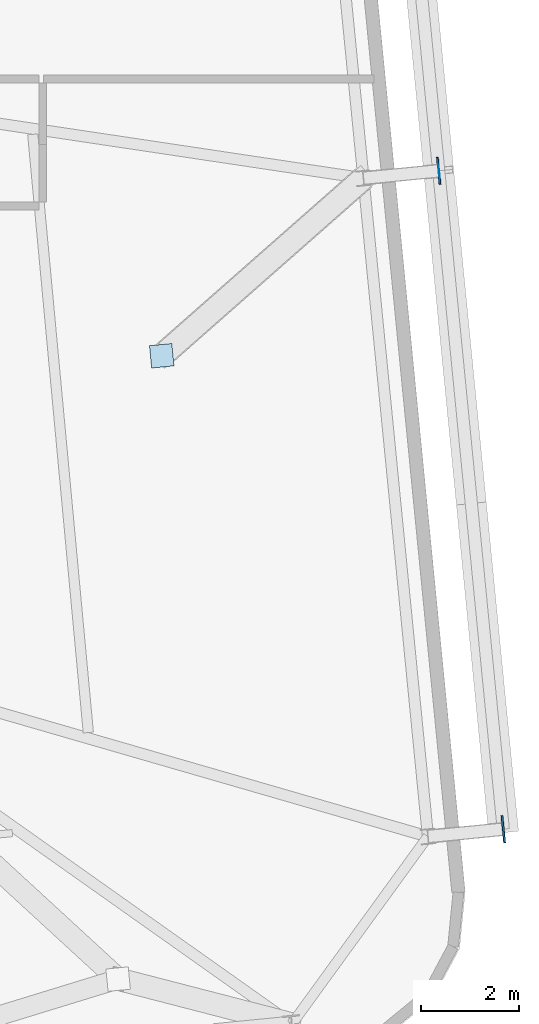
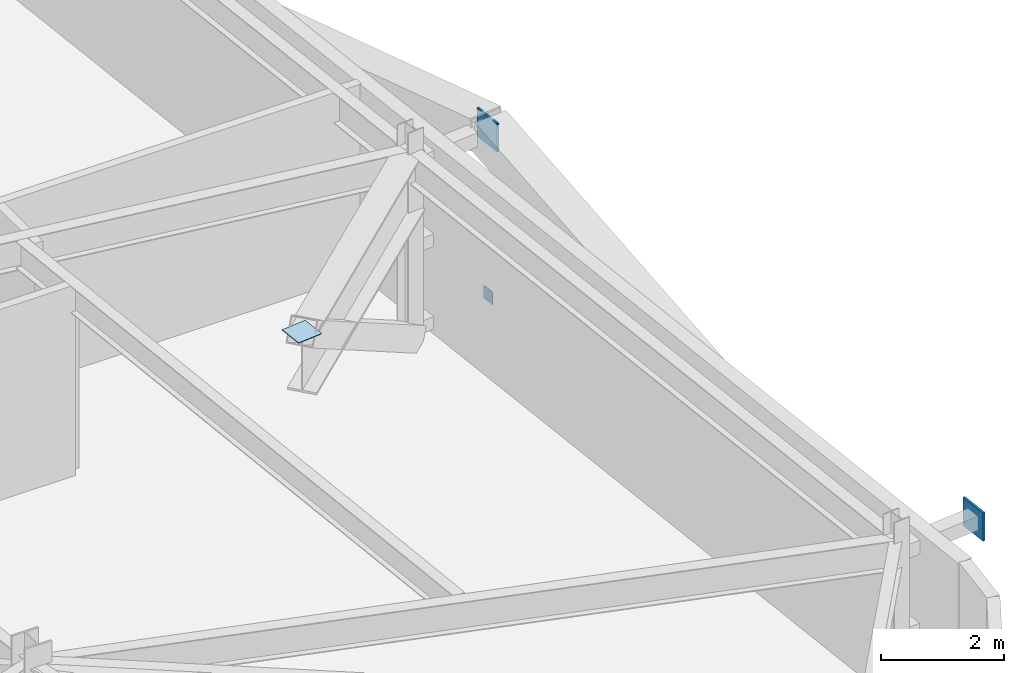
# One storey, part 17 of 24: 4 plates.
"""IFC4 building model written with IfcOpenShell, lengths in metres."""

from ifc_helpers import new_model, si_unit, direction, frame, origin, origin_2d, place, context, subcontext, project, spatial, rectangle, extrude, source, transform, mapped, material, layer, layer_set, type_object, element, save


model = new_model("IFC4")

# Units and contexts
model_context = context("Model", 3, precision=1e-05, world=origin(), true_north=direction((0.0, 1.0)))
body_context = subcontext(model_context, "Body", "Model", "MODEL_VIEW")
ifc_project = project(units=[si_unit("LENGTHUNIT", "METRE"), si_unit("AREAUNIT", "SQUARE_METRE"), si_unit("VOLUMEUNIT", "CUBIC_METRE"), si_unit("PLANEANGLEUNIT", "RADIAN"), si_unit("MASSUNIT", "GRAM", prefix="KILO")], contexts=[model_context])

# Site, building, storey
site_placement = place(None, origin())
site = spatial("IfcSite", under=ifc_project, at=site_placement, CompositionType="ELEMENT")
building_placement = place(site_placement, origin())
building = spatial("IfcBuilding", under=site, at=building_placement, Name="Taldren Reach Tower", CompositionType="ELEMENT")
storey_placement = place(building_placement, frame((0.0, 0.0, 112.35009765625)))
storey = spatial("IfcBuildingStorey", under=building, at=storey_placement, Name="L34", CompositionType="ELEMENT", Elevation=112.35009765625)

# Plates
ifc_material_1 = material(Name="Steel Gr 450 (C450L0)", Category="steel")
ifc_layer_1 = layer(ifc_material_1, 0.0400390625)
ifc_layer_set_1 = layer_set([ifc_layer_1], Name="Steel Gr 450 (C450L0)")
plate_type_1 = type_object("IfcPlateType", Name="PL-GUSSET-40", PredefinedType="SHEET", material=ifc_layer_set_1)
shared_shape_1 = source(origin(), body_context, "Body", "SweptSolid", [
    extrude(rectangle(XDim=0.56005859375, YDim=0.0400390625, at=origin_2d()), origin(), (0.0, 0.0, 1.0), 0.56005859375),
])
for number, where, z_axis, x_axis, name in (
    (1, (67.434326171875, 8.634765625, 3.219970703125), (0.0, 0.0, 1.0), (-0.097582899759, 0.995227399982, 0.0), "Exoskeleton star-node gusset plate B2-E1 L34"),
    (2, (66.112060546875, 22.1201171875, 3.219970703125), (0.0, 0.0, 1.0), (-0.097582899759, 0.995227399982, 0.0), "Exoskeleton star-node gusset plate B2-E2 L34"),
):
    element("IfcPlate", number, at=place(storey_placement, frame(where, z_axis=z_axis, x_axis=x_axis)), inside=storey, type_object=plate_type_1, Name=name, PredefinedType="SHEET", context=body_context, shape_type="MappedRepresentation", body=[
        mapped(shared_shape_1, transform((0.0, 0.0, 0.0), scale=1.0)),
    ])
ifc_material_2 = material(Name="Steel Gr 350 (C350L0)", Category="steel")
ifc_layer_2 = layer(ifc_material_2, 0.011962890625)
ifc_layer_set_2 = layer_set([ifc_layer_2], Name="Steel Gr 350 (C350L0)")
plate_type_2 = type_object("IfcPlateType", Name="PL-CAP-250", PredefinedType="SHEET", material=ifc_layer_set_2)
shared_shape_2 = source(origin(), body_context, "Body", "SweptSolid", [
    extrude(rectangle(XDim=0.011962890625, YDim=0.25, at=origin_2d()), origin(), (0.0, 0.0, 1.0), 0.25),
])
plate_1_placement = place(storey_placement, frame((66.1181640625, 22.120849609375, 0.094970703125), z_axis=(0.0, 0.0, 1.0), x_axis=(0.995227399982, 0.097582899759, 0.0)))
element("IfcPlate", 3, at=plate_1_placement, inside=storey, type_object=plate_type_2, Name="Tie strut end cap plate B2-E2 L34", PredefinedType="SHEET", context=body_context, shape_type="MappedRepresentation", body=[
    mapped(shared_shape_2, transform((0.0, 0.0, 0.0), scale=1.0)),
])
ifc_layer_3 = layer(ifc_material_1, 0.011962890625)
ifc_layer_set_3 = layer_set([ifc_layer_3], Name="Steel Gr 450 (C450L0)")
plate_type_3 = type_object("IfcPlateType", Name="PL-CAP-460", PredefinedType="SHEET", material=ifc_layer_set_3)
shared_shape_3 = source(origin(), body_context, "Body", "SweptSolid", [
    extrude(rectangle(XDim=0.4599609375, YDim=0.4599609375, at=origin_2d()), origin(), (0.0, 0.0, 1.0), 0.011962890625),
])
plate_2_placement = place(storey_placement, frame((60.438232421875, 18.331787109375, 3.76806640625), z_axis=(0.0, 0.0, 1.0), x_axis=(0.995227399982, 0.097582899759, 0.0)))
element("IfcPlate", 4, at=plate_2_placement, inside=storey, type_object=plate_type_3, Name="Transfer strut end cap plate TS-B3-E2 L34", PredefinedType="SHEET", context=body_context, shape_type="MappedRepresentation", body=[
    mapped(shared_shape_3, transform((0.0, 0.0, 0.0), scale=1.0)),
])

save(model, "model.ifc")
